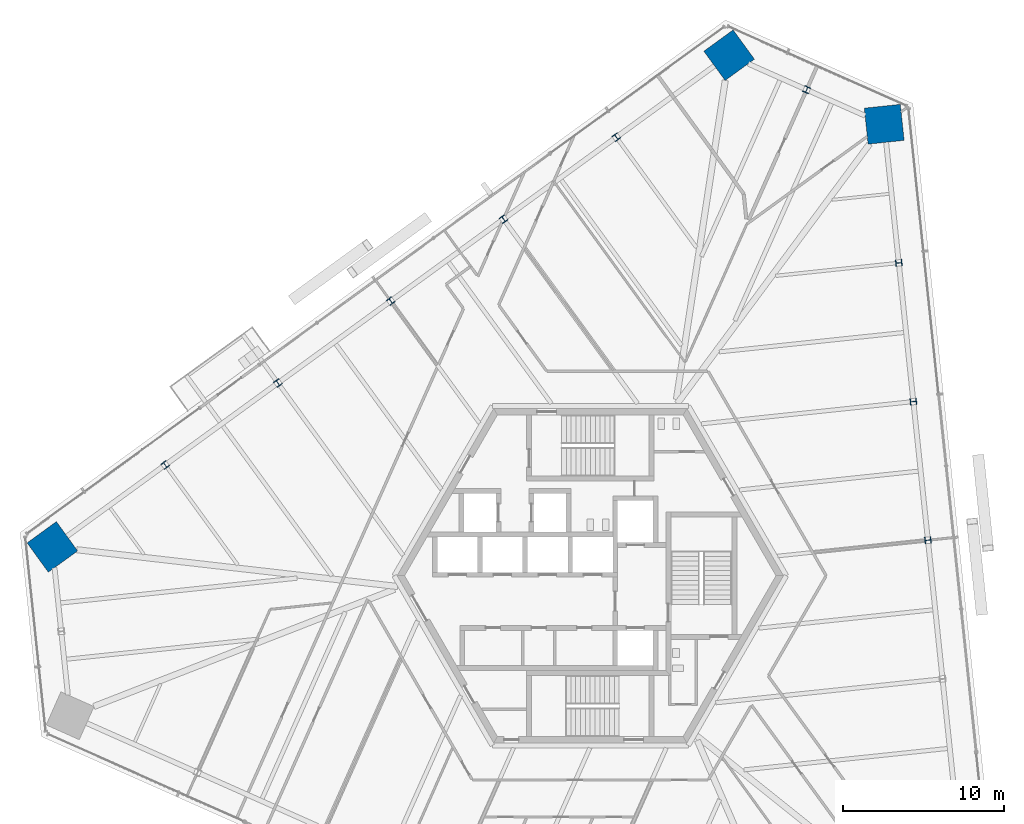
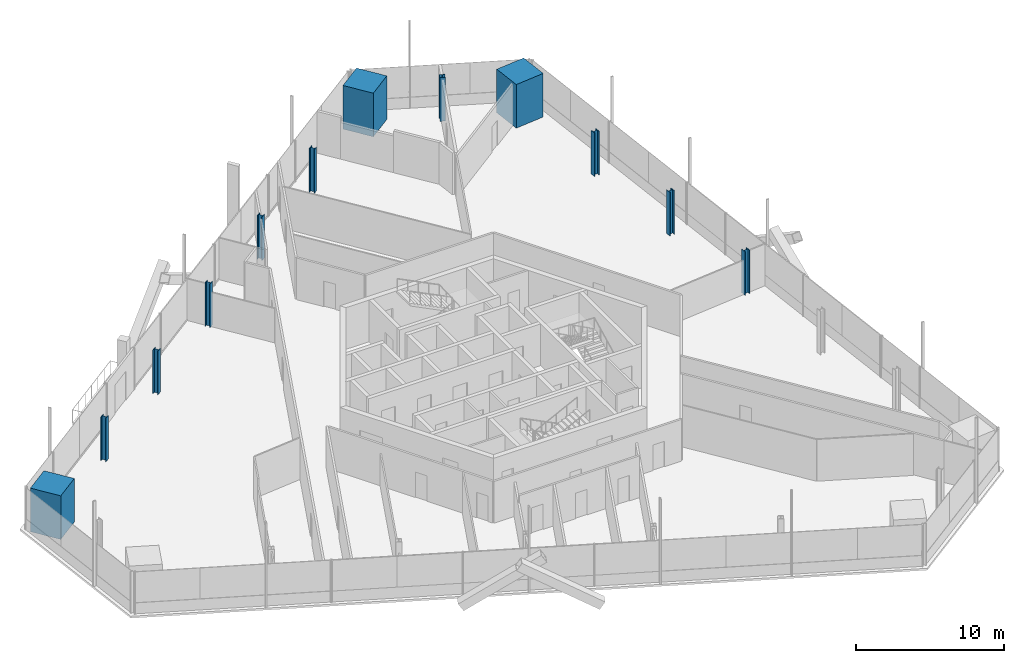
# One storey, part 2 of 21: 12 columns.
"""IFC4 building model written with IfcOpenShell, lengths in metres."""

from ifc_helpers import new_model, si_unit, direction, frame, origin, origin_2d, place, context, subcontext, project, spatial, rectangle, i_section, extrude, source, transform, mapped, material, material_profile, profile_set, type_object, element, save


model = new_model("IFC4")

# Units and contexts
model_context = context("Model", 3, precision=1e-05, world=origin(), true_north=direction((0.0, 1.0)))
body_context = subcontext(model_context, "Body", "Model", "MODEL_VIEW")
ifc_project = project(units=[si_unit("LENGTHUNIT", "METRE"), si_unit("AREAUNIT", "SQUARE_METRE"), si_unit("VOLUMEUNIT", "CUBIC_METRE"), si_unit("PLANEANGLEUNIT", "RADIAN"), si_unit("MASSUNIT", "GRAM", prefix="KILO")], contexts=[model_context])

# Site, building, storey
site_placement = place(None, origin())
site = spatial("IfcSite", under=ifc_project, at=site_placement, CompositionType="ELEMENT")
building_placement = place(site_placement, origin())
building = spatial("IfcBuilding", under=site, at=building_placement, Name="Triune Harvest Tower", CompositionType="ELEMENT")
storey_placement = place(building_placement, frame((0.0, 0.0, 72.89990234375)))
storey = spatial("IfcBuildingStorey", under=building, at=storey_placement, Name="L17", CompositionType="ELEMENT", Elevation=72.89990234375)

# Columns
ifc_material_1 = material(Name="Concrete 70 MPa", Category="concrete")
ifc_material_profile_1 = material_profile(ifc_material_1, rectangle(XDim=2.25, YDim=2.25, at=origin_2d()), Name="Composite 2250x2250")
ifc_profile_set_1 = profile_set([ifc_material_profile_1], Name="Concrete 70 MPa")
column_type_1 = type_object("IfcColumnType", Name="MC-2 Mega column Composite 2250x2250", PredefinedType="COLUMN", material=ifc_profile_set_1)
shared_shape_1 = source(origin(), body_context, "Body", "SweptSolid", [
    extrude(rectangle(XDim=2.25, YDim=2.25, at=origin_2d()), origin(), (0.0, 0.0, 1.0), 3.60009765625),
])
for number, where, z_axis, x_axis, name in (
    (1, (18.2607421875, 28.049072265625, 0.0), (0.0, 0.0, 1.0), (-0.104526727499, 0.994522077803, 0.0), "col/L17/M6"),
    (2, (8.625732421875, 32.3388671875, 0.0), (0.0, 0.0, 1.0), (-0.809016994375, -0.587785252292, 0.0), "col/L17/M8"),
    (3, (-33.42138671875, 1.789794921875, 0.0), (0.0, 0.0, 1.0), (-0.809016994375, -0.587785252292, 0.0), "col/L17/M14"),
):
    element("IfcColumn", number, at=place(storey_placement, frame(where, z_axis=z_axis, x_axis=x_axis)), inside=storey, type_object=column_type_1, Name=name, PredefinedType="COLUMN", context=body_context, shape_type="MappedRepresentation", body=[
        mapped(shared_shape_1, transform((0.0, 0.0, 0.0), scale=1.0)),
    ])
ifc_material_2 = material(Name="Steel ASTM A992 Gr 50", Category="steel")
ifc_material_profile_2 = material_profile(ifc_material_2, i_section(OverallWidth=0.398681640625, OverallDepth=0.393798828125, WebThickness=0.022705078125, FlangeThickness=0.03662109375, at=origin_2d()), Name="W14x193")
ifc_profile_set_2 = profile_set([ifc_material_profile_2], Name="Steel ASTM A992 Gr 50")
column_type_2 = type_object("IfcColumnType", Name="PC-2 Perimeter column W14x193", PredefinedType="COLUMN", material=ifc_profile_set_2)
shared_shape_2 = source(origin(), body_context, "Body", "SweptSolid", [
    extrude(i_section(OverallWidth=0.398681640625, OverallDepth=0.393798828125, WebThickness=0.022705078125, FlangeThickness=0.03662109375, at=origin_2d()), origin(), (0.0, 0.0, 1.0), 3.60009765625),
])
for number, where, z_axis, x_axis, name in (
    (4, (20.97705078125, 2.204833984375, 0.0), (0.0, 0.0, 1.0), (-0.104526727499, 0.994522077803, 0.0), "col/L17/P3"),
    (5, (20.071533203125, 10.819580078125, 0.0), (0.0, 0.0, 1.0), (-0.104526727499, 0.994522077803, 0.0), "col/L17/P4"),
    (6, (19.166015625, 19.434326171875, 0.0), (0.0, 0.0, 1.0), (-0.104526727499, 0.994522077803, 0.0), "col/L17/P5"),
    (7, (13.443115234375, 30.194091796875, 0.0), (0.0, 0.0, 1.0), (-0.913546877416, 0.406733454198, 0.0), "col/L17/P7"),
    (8, (1.617919921875, 27.247314453125, 0.0), (0.0, 0.0, 1.0), (-0.809016994375, -0.587785252292, 0.0), "col/L17/P9"),
    (9, (-5.389892578125, 22.15576171875, 0.0), (0.0, 0.0, 1.0), (-0.809016994375, -0.587785252292, 0.0), "col/L17/P10"),
    (10, (-12.39794921875, 17.064208984375, 0.0), (0.0, 0.0, 1.0), (-0.809016994375, -0.587785252292, 0.0), "col/L17/P11"),
    (11, (-19.40576171875, 11.97265625, 0.0), (0.0, 0.0, 1.0), (-0.809016994375, -0.587785252292, 0.0), "col/L17/P12"),
    (12, (-26.41357421875, 6.881103515625, 0.0), (0.0, 0.0, 1.0), (-0.809016994375, -0.587785252292, 0.0), "col/L17/P13"),
):
    element("IfcColumn", number, at=place(storey_placement, frame(where, z_axis=z_axis, x_axis=x_axis)), inside=storey, type_object=column_type_2, Name=name, PredefinedType="COLUMN", context=body_context, shape_type="MappedRepresentation", body=[
        mapped(shared_shape_2, transform((0.0, 0.0, 0.0), scale=1.0)),
    ])

save(model, "model.ifc")
